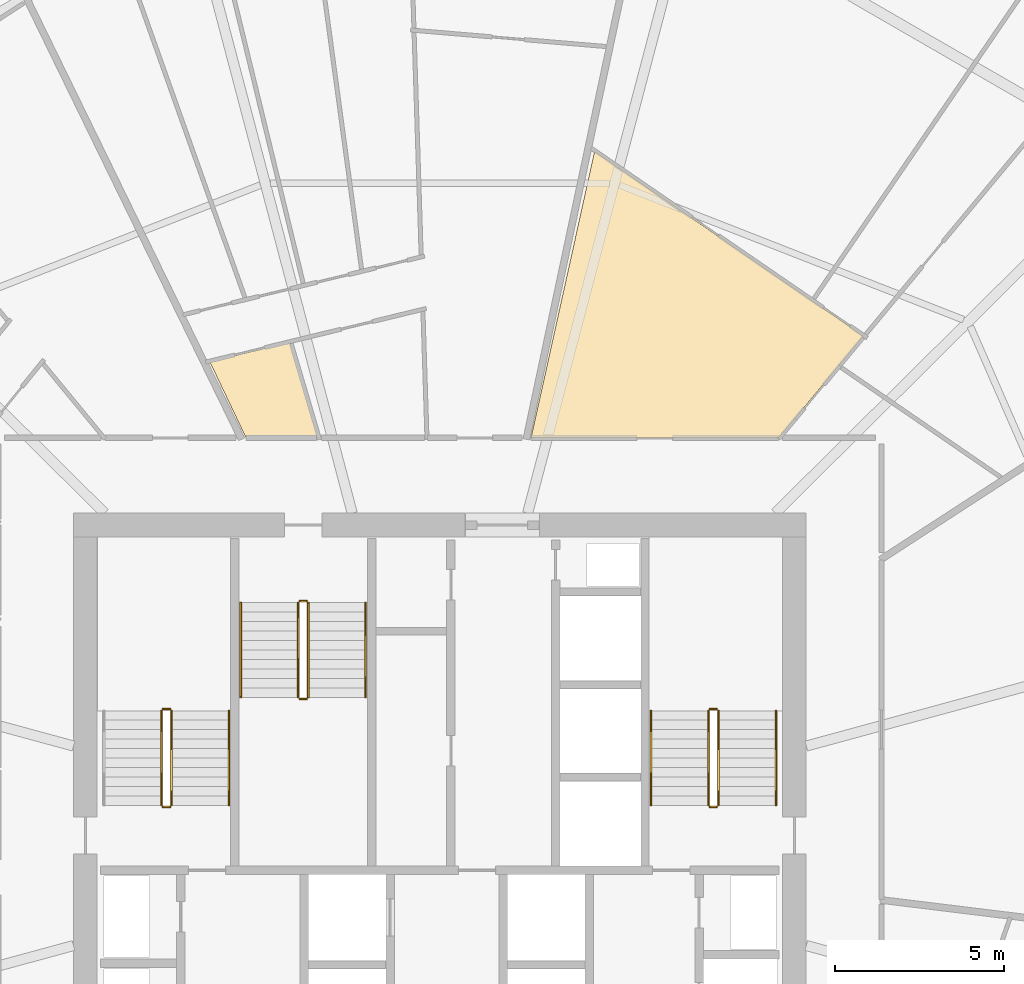
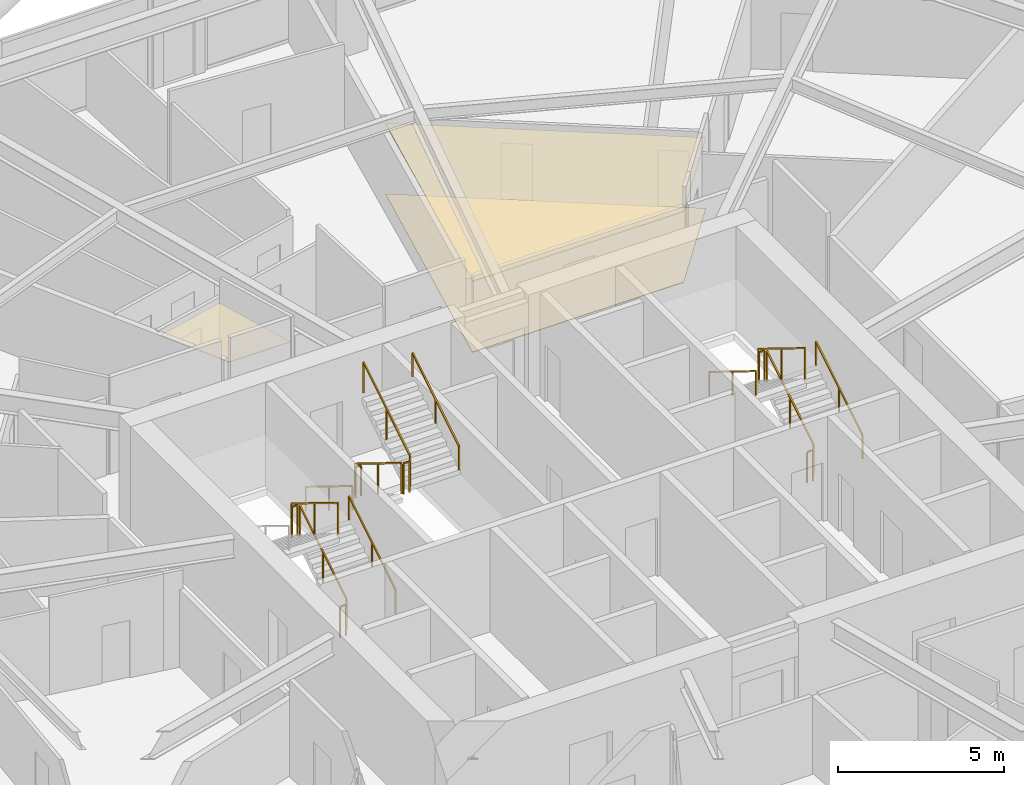
# One storey, part 34 of 35: 17 railings, 3 coverings.
"""IFC4 building model written with IfcOpenShell, lengths in metres."""

import ifcopenshell
import ifcopenshell.guid

model = None  # the IFC model being written
_history = None  # IfcOwnerHistory: only IFC2X3 demands one
_inside = {}  # id of a spatial element -> (the spatial element, [elements in it])
_under = {}  # id of a project, library or spatial element -> (it, [spatial elements below it])
_declared = {}  # id of a project -> (the project, [libraries it declares])
_typed = {}  # id of a type object -> (the type object, [elements of that type])
_made_of = {}  # id of a material, layer set ... -> (it, [elements and type objects made of it])


def new_model(schema):
    """Start an empty IFC model of exactly this schema.

    Asked for "IFC4X3", IfcOpenShell would pick the latest addendum, in which some entities
    have other attributes; the version numbers below select the first issue.
    IFC2X3 requires an IfcOwnerHistory on every rooted entity: one is made here for all.
    """
    global model, _history
    if schema == "IFC4X3":
        model = ifcopenshell.file(schema_version=(4, 3, 0, 0))
    else:
        model = ifcopenshell.file(schema=schema)
    _inside.clear()
    _under.clear()
    _declared.clear()
    _typed.clear()
    _made_of.clear()
    _history = None
    if model.schema == "IFC2X3":
        org = make("IfcOrganization", Name="unknown")
        user = make(
            "IfcPersonAndOrganization",
            ThePerson=make("IfcPerson", FamilyName="unknown"),
            TheOrganization=org,
        )
        app = make(
            "IfcApplication",
            ApplicationDeveloper=org,
            Version="unknown",
            ApplicationFullName="unknown",
            ApplicationIdentifier="unknown",
        )
        _history = make(
            "IfcOwnerHistory",
            OwningUser=user,
            OwningApplication=app,
            ChangeAction="ADDED",
            CreationDate=0,
        )
    return model


def make(cls, **values):
    """One entity of the class cls with the attributes given. An attribute that is None is left unset."""
    return model.create_entity(
        cls, **{name: value for name, value in values.items() if value is not None}
    )


def rooted(cls, **values):
    """An entity with a GlobalId (a new one), such as an element, a storey or a relation."""
    return make(cls, GlobalId=ifcopenshell.guid.new(), OwnerHistory=_history, **values)


def si_unit(unit_type, name, prefix=None):
    """IfcSIUnit, for example si_unit("LENGTHUNIT", "METRE", prefix="MILLI")."""
    return make("IfcSIUnit", UnitType=unit_type, Prefix=prefix, Name=name)


def assignment(units):
    """IfcUnitAssignment: the units of a project."""
    return None if units is None else make("IfcUnitAssignment", Units=units)


def point(xyz):
    """IfcCartesianPoint."""
    return None if xyz is None else make("IfcCartesianPoint", Coordinates=xyz)


def direction(xyz):
    """IfcDirection."""
    return None if xyz is None else make("IfcDirection", DirectionRatios=xyz)


def frame(location, z_axis=None, x_axis=None):
    """IfcAxis2Placement3D, a coordinate frame: its origin and axes. An axis left out is left unset."""
    return make(
        "IfcAxis2Placement3D",
        Location=point(location),
        Axis=direction(z_axis),
        RefDirection=direction(x_axis),
    )


def frame_2d(location, x_axis=None):
    """IfcAxis2Placement2D, a coordinate frame in the plane: its origin and x axis."""
    return make(
        "IfcAxis2Placement2D", Location=point(location), RefDirection=direction(x_axis)
    )


def origin():
    """The frame at (0, 0, 0) with its axes left unset."""
    return frame((0.0, 0.0, 0.0))


def origin_2d():
    """The frame at (0, 0) in the plane with its x axis left unset."""
    return frame_2d((0.0, 0.0))


def place(relative_to, where):
    """IfcLocalPlacement: puts the frame where relative to a parent placement (None: the world)."""
    return make(
        "IfcLocalPlacement", PlacementRelTo=relative_to, RelativePlacement=where
    )


def context(
    kind, dimensions, precision=None, world=None, true_north=None, identifier=None
):
    """IfcGeometricRepresentationContext, for example the 3D "Model" context."""
    return make(
        "IfcGeometricRepresentationContext",
        ContextIdentifier=identifier,
        ContextType=kind,
        CoordinateSpaceDimension=dimensions,
        Precision=precision,
        WorldCoordinateSystem=world,
        TrueNorth=true_north,
    )


def subcontext(parent, identifier, kind, view, scale=None):
    """IfcGeometricRepresentationSubContext, for example "Body" below "Model"."""
    return make(
        "IfcGeometricRepresentationSubContext",
        ContextIdentifier=identifier,
        ContextType=kind,
        ParentContext=parent,
        TargetScale=scale,
        TargetView=view,
    )


def project(units=None, contexts=None):
    """IfcProject with its units and contexts."""
    return rooted(
        "IfcProject",
        Name="project",
        RepresentationContexts=contexts,
        UnitsInContext=assignment(units),
    )


def spatial(cls, under=None, at=None, **own):
    """A site, building, storey or space (cls), placed at a placement, below another one or the project."""
    s = rooted(cls, ObjectPlacement=at, **own)
    if under is not None:
        _under.setdefault(under.id(), (under, []))[1].append(s)
    return s


def polyline(points):
    """IfcPolyline through the points."""
    return make("IfcPolyline", Points=[point(p) for p in points])


def profile(cls, at=None, kind="AREA", **sizes):
    """A parametric profile (cls). Its sizes go by their IFC names, for example OverallWidth=200.0."""
    return make(cls, ProfileType=kind, Position=at, **sizes)


def rectangle(**sizes):
    """IfcRectangleProfileDef."""
    return profile("IfcRectangleProfileDef", **sizes)


def outline(outer, holes=None, kind="AREA"):
    """IfcArbitraryClosedProfileDef: a profile drawn as a closed curve; with holes, ...WithVoids."""
    if holes is None:
        return make("IfcArbitraryClosedProfileDef", ProfileType=kind, OuterCurve=outer)
    return make(
        "IfcArbitraryProfileDefWithVoids",
        ProfileType=kind,
        OuterCurve=outer,
        InnerCurves=holes,
    )


def extrude(swept, where, along, depth):
    """IfcExtrudedAreaSolid: the profile swept, set in the frame where, extruded along a direction by depth."""
    return make(
        "IfcExtrudedAreaSolid",
        SweptArea=swept,
        Position=where,
        ExtrudedDirection=direction(along),
        Depth=depth,
    )


def shape(context_of_items, identifier, shape_type, items):
    """IfcShapeRepresentation: the items that make up one representation, for example the "Body"."""
    return make(
        "IfcShapeRepresentation",
        ContextOfItems=context_of_items,
        RepresentationIdentifier=identifier,
        RepresentationType=shape_type,
        Items=items,
    )


def material(Name=None, Category=None):
    """IfcMaterial."""
    return make("IfcMaterial", Name=Name, Category=Category)


def layer(
    of_material, thickness, ventilated=None, Name=None, Category=None, Priority=None
):
    """IfcMaterialLayer: one layer of a wall or slab, of a material (None: an air gap)."""
    return make(
        "IfcMaterialLayer",
        Material=of_material,
        LayerThickness=thickness,
        IsVentilated=ventilated,
        Name=Name,
        Category=Category,
        Priority=Priority,
    )


def layer_set(layers, Name=None):
    """IfcMaterialLayerSet."""
    return make("IfcMaterialLayerSet", MaterialLayers=layers, LayerSetName=Name)


def made_of(thing, what):
    """Note that an element or type object is made of a material, layer set ...; save() writes the relation."""
    if what is not None:
        _made_of.setdefault(what.id(), (what, []))[1].append(thing)
    return thing


def type_object(cls, material=None, **own):
    """A type object (cls), such as IfcWallType, which elements share."""
    return made_of(rooted(cls, **own), material)


def element(
    cls,
    number,
    at=None,
    inside=None,
    cuts=None,
    type_object=None,
    material=None,
    context=None,
    identifier="Body",
    shape_type=None,
    held_by="IfcProductDefinitionShape",
    body=None,
    shapes=None,
    **own,
):
    """One element of the class cls, such as IfcWall. Its Tag is "e" and its number.

    at: its placement. inside: the storey or other place that contains it. cuts: it is an
    opening in that element (IfcRelVoidsElement). A single representation is given by context,
    identifier, shape_type and body (its items); several are given by shapes. held_by: the class
    of the entity that holds the representations. save() writes the other relations.
    """
    e = rooted(cls, Tag="e%d" % number, ObjectPlacement=at, **own)
    if body is not None:
        shapes = [shape(context, identifier, shape_type, body)]
    if shapes is not None:
        e.Representation = make(held_by, Representations=shapes)
    if inside is not None:
        _inside.setdefault(inside.id(), (inside, []))[1].append(e)
    if cuts is not None:
        rooted(
            "IfcRelVoidsElement", RelatingBuildingElement=cuts, RelatedOpeningElement=e
        )
    if type_object is not None:
        _typed.setdefault(type_object.id(), (type_object, []))[1].append(e)
    return made_of(e, material)


def aggregate(whole, parts):
    """IfcRelAggregates: a whole, such as a stair, and the parts it consists of."""
    return rooted("IfcRelAggregates", RelatingObject=whole, RelatedObjects=parts)


def save(model, path):
    """Write the relations noted so far, then the file.

    IfcRelAggregates (storeys below a building ...), IfcRelContainedInSpatialStructure (elements
    in a storey), IfcRelDefinesByType, IfcRelAssociatesMaterial and IfcRelDeclares: one each for
    every whole, place, type object, material and project.
    """
    for whole, parts in _under.values():
        aggregate(whole, parts)
    for where, things in _inside.values():
        rooted(
            "IfcRelContainedInSpatialStructure",
            RelatedElements=things,
            RelatingStructure=where,
        )
    for kind, things in _typed.values():
        rooted("IfcRelDefinesByType", RelatedObjects=things, RelatingType=kind)
    for what, things in _made_of.values():
        rooted("IfcRelAssociatesMaterial", RelatedObjects=things, RelatingMaterial=what)
    for by, libraries in _declared.values():
        rooted("IfcRelDeclares", RelatingContext=by, RelatedDefinitions=libraries)
    model.write(path)


model = new_model("IFC4")

# Units and contexts
model_context = context("Model", 3, precision=1e-05, world=origin(), true_north=direction((0.0, 1.0)))
body_context = subcontext(model_context, "Body", "Model", "MODEL_VIEW")
ifc_project = project(units=[si_unit("LENGTHUNIT", "METRE"), si_unit("AREAUNIT", "SQUARE_METRE"), si_unit("VOLUMEUNIT", "CUBIC_METRE"), si_unit("PLANEANGLEUNIT", "RADIAN"), si_unit("MASSUNIT", "GRAM", prefix="KILO")], contexts=[model_context])

# Site, building, storey
site_placement = place(None, origin())
site = spatial("IfcSite", under=ifc_project, at=site_placement, CompositionType="ELEMENT")
building_placement = place(site_placement, origin())
building = spatial("IfcBuilding", under=site, at=building_placement, Name="Zuhravey Tower", CompositionType="ELEMENT")
storey_placement = place(building_placement, frame((0.0, 0.0, 115.199951171875)))
storey = spatial("IfcBuildingStorey", under=building, at=storey_placement, Name="L28", CompositionType="ELEMENT", Elevation=115.199951171875)

# Coverings
ifc_material_1 = material(Name="Mineral-fibre acoustic ceiling tile")
ifc_layer_1 = layer(ifc_material_1, 0.02490234375)
ifc_layer_set_1 = layer_set([ifc_layer_1], Name="Mineral-fibre acoustic ceiling tile")
covering_type_1 = type_object("IfcCoveringType", Name="Acoustic Suspended Ceiling", PredefinedType="CEILING", material=ifc_layer_set_1)
covering_1_placement = place(storey_placement, frame((0.0, 0.0, 2.590087890625)))
element("IfcCovering", 1, at=covering_1_placement, inside=storey, type_object=covering_type_1, Name="L28 Acoustic Suspended Ceiling CLG1", PredefinedType="CEILING", context=body_context, shape_type="SweptSolid", body=[
    extrude(outline(polyline([(46.031494140625, 44.080078125), (38.698486328125, 44.080078125), (40.580810546875, 52.5703125), (48.543701171875, 47.097412109375), (46.031494140625, 44.080078125)])), origin(), (0.0, 0.0, 1.0), 0.02490234375),
])
ifc_material_2 = material(Name="Porcelain tile finish")
ifc_layer_2 = layer(ifc_material_2, 0.02001953125)
ifc_layer_set_2 = layer_set([ifc_layer_2], Name="Porcelain tile finish")
covering_type_2 = type_object("IfcCoveringType", Name="Apartment Ondol Porcelain Flooring", PredefinedType="FLOORING", material=ifc_layer_set_2)
covering_2_placement = place(storey_placement, origin())
element("IfcCovering", 2, at=covering_2_placement, inside=storey, type_object=covering_type_2, Name="L28 Principal Room Acoustic Flooring", PredefinedType="FLOORING", context=body_context, shape_type="SweptSolid", body=[
    extrude(outline(polyline([(46.031494140625, 44.080078125), (38.698486328125, 44.080078125), (40.580810546875, 52.5703125), (48.543701171875, 47.097412109375), (46.031494140625, 44.080078125)])), origin(), (0.0, 0.0, 1.0), 0.02001953125),
])
ifc_material_3 = material(Name="Moisture-resistant gypsum ceiling board")
ifc_layer_3 = layer(ifc_material_3, 0.02001953125)
ifc_layer_set_3 = layer_set([ifc_layer_3], Name="Moisture-resistant gypsum ceiling board")
covering_type_3 = type_object("IfcCoveringType", Name="Moisture-Resistant Ceiling", PredefinedType="CEILING", material=ifc_layer_set_3)
covering_3_placement = place(storey_placement, frame((0.0, 0.0, 2.590087890625)))
element("IfcCovering", 3, at=covering_3_placement, inside=storey, type_object=covering_type_3, Name="L28 Wet-Room Ceiling CLG2", PredefinedType="CEILING", context=body_context, shape_type="SweptSolid", body=[
    extrude(outline(polyline([(31.561279296875, 46.912841796875), (32.400390625, 44.080078125), (30.26025390625, 44.080078125), (29.1845703125, 46.335205078125), (31.561279296875, 46.912841796875)])), origin(), (0.0, 0.0, 1.0), 0.02001953125),
])

# Railings
ifc_material_4 = material(Name="Brushed stainless steel", Category="steel")
railing_type_1 = type_object("IfcRailingType", Name="Stair Wall Handrail 900", PredefinedType="HANDRAIL", material=ifc_material_4)
for number, where, name in (
    (4, (29.75, 33.199951171875, 0.1728515625), "L28 ST1 stair handrail 1"),
    (5, (45.949951171875, 33.199951171875, 0.1728515625), "L28 ST2 stair handrail 1"),
):
    element("IfcRailing", number, at=place(storey_placement, frame(where)), inside=storey, type_object=railing_type_1, Name=name, PredefinedType="HANDRAIL", context=body_context, shape_type="SweptSolid", body=[
        extrude(rectangle(XDim=0.048095703125, YDim=0.048095703125, at=origin_2d()), frame((0.0, 0.001708984375, 0.876953125), z_axis=(0.0, 0.851089632645, 0.525020415988), x_axis=(-1.0, 0.0, 0.0)), (0.0, 0.0, 1.0), 3.285888671875),
        extrude(rectangle(XDim=0.0419921875, YDim=0.0419921875, at=origin_2d()), origin(), (0.0, 0.0, 1.0), 0.849853515625),
        extrude(rectangle(XDim=0.0419921875, YDim=0.0419921875, at=origin_2d()), frame((0.0, 1.39990234375, 0.86376953125)), (0.0, 0.0, 1.0), 0.849853515625),
        extrude(rectangle(XDim=0.0419921875, YDim=0.0419921875, at=origin_2d()), frame((0.0, 2.800048828125, 1.727294921875)), (0.0, 0.0, 1.0), 0.849853515625),
    ])
for number, where, name in (
    (6, (42.25, 36.0, 2.07275390625), "L28 ST2 stair handrail 2"),
    (7, (30.10009765625, 39.199951171875, 0.1728515625), "L28 ST3 stair handrail 1"),
):
    element("IfcRailing", number, at=place(storey_placement, frame(where)), inside=storey, type_object=railing_type_1, Name=name, PredefinedType="HANDRAIL", context=body_context, shape_type="SweptSolid", body=[
        extrude(rectangle(XDim=0.048095703125, YDim=0.048095703125, at=origin_2d()), frame((0.0, -0.001708984375, 0.876953125), z_axis=(0.0, -0.851089632645, 0.525020415988), x_axis=(1.0, 0.0, 0.0)), (0.0, 0.0, 1.0), 3.285888671875),
        extrude(rectangle(XDim=0.0419921875, YDim=0.0419921875, at=origin_2d()), origin(), (0.0, 0.0, 1.0), 0.849853515625),
        extrude(rectangle(XDim=0.0419921875, YDim=0.0419921875, at=origin_2d()), frame((0.0, -1.39990234375, 0.86376953125)), (0.0, 0.0, 1.0), 0.849853515625),
        extrude(rectangle(XDim=0.0419921875, YDim=0.0419921875, at=origin_2d()), frame((0.0, -2.800048828125, 1.727294921875)), (0.0, 0.0, 1.0), 0.849853515625),
    ])
railing_1_placement = place(storey_placement, frame((33.800048828125, 36.39990234375, 2.07275390625)))
element("IfcRailing", 8, at=railing_1_placement, inside=storey, type_object=railing_type_1, Name="L28 ST3 stair handrail 2", PredefinedType="HANDRAIL", context=body_context, shape_type="SweptSolid", body=[
    extrude(rectangle(XDim=0.048095703125, YDim=0.048095703125, at=origin_2d()), frame((0.0, 0.001708984375, 0.876953125), z_axis=(0.0, 0.851089632645, 0.525020415988), x_axis=(-1.0, 0.0, 0.0)), (0.0, 0.0, 1.0), 3.285888671875),
    extrude(rectangle(XDim=0.0419921875, YDim=0.0419921875, at=origin_2d()), origin(), (0.0, 0.0, 1.0), 0.849853515625),
    extrude(rectangle(XDim=0.0419921875, YDim=0.0419921875, at=origin_2d()), frame((0.0, 1.39990234375, 0.86376953125)), (0.0, 0.0, 1.0), 0.849853515625),
    extrude(rectangle(XDim=0.0419921875, YDim=0.0419921875, at=origin_2d()), frame((0.0, 2.800048828125, 1.727294921875)), (0.0, 0.0, 1.0), 0.849853515625),
])
ifc_material_5 = material(Name="Painted tubular steel", Category="steel")
railing_type_2 = type_object("IfcRailingType", Name="Stair Well Guardrail 1150", PredefinedType="GUARDRAIL", material=ifc_material_5)
railing_2_placement = place(storey_placement, frame((28.050048828125, 33.199951171875, 0.1728515625)))
element("IfcRailing", 9, at=railing_2_placement, inside=storey, type_object=railing_type_2, Name="L28 ST1 stair guard 1", PredefinedType="GUARDRAIL", context=body_context, shape_type="SweptSolid", body=[
    extrude(rectangle(XDim=0.048095703125, YDim=0.048095703125, at=origin_2d()), frame((0.0, 0.001708984375, 1.126953125), z_axis=(0.0, 0.851089632645, 0.525020415988), x_axis=(-1.0, 0.0, 0.0)), (0.0, 0.0, 1.0), 3.285888671875),
    extrude(rectangle(XDim=0.0419921875, YDim=0.0419921875, at=origin_2d()), origin(), (0.0, 0.0, 1.0), 1.099853515625),
    extrude(rectangle(XDim=0.0419921875, YDim=0.0419921875, at=origin_2d()), frame((0.0, 1.39990234375, 0.86376953125)), (0.0, 0.0, 1.0), 1.099853515625),
    extrude(rectangle(XDim=0.0419921875, YDim=0.0419921875, at=origin_2d()), frame((0.0, 2.800048828125, 1.727294921875)), (0.0, 0.0, 1.0), 1.099853515625),
])
railing_3_placement = place(storey_placement, frame((28.0, 36.050048828125, 1.900146484375)))
element("IfcRailing", 10, at=railing_3_placement, inside=storey, type_object=railing_type_2, Name="L28 ST1 stair guard 2", PredefinedType="GUARDRAIL", context=body_context, shape_type="SweptSolid", body=[
    extrude(rectangle(XDim=0.048095703125, YDim=0.048095703125, at=origin_2d()), frame((-0.001953125, 0.0, 1.1259765625), z_axis=(-1.0, 0.0, 0.0), x_axis=(0.0, -1.0, 0.0)), (0.0, 0.0, 1.0), 0.196044921875),
    extrude(rectangle(XDim=0.0419921875, YDim=0.0419921875, at=origin_2d()), origin(), (0.0, 0.0, 1.0), 1.099853515625),
    extrude(rectangle(XDim=0.0419921875, YDim=0.0419921875, at=origin_2d()), frame((-0.199951171875, 0.0, 0.0)), (0.0, 0.0, 1.0), 1.099853515625),
])
railing_4_placement = place(storey_placement, frame((27.75, 36.0, 2.07275390625)))
element("IfcRailing", 11, at=railing_4_placement, inside=storey, type_object=railing_type_2, Name="L28 ST1 stair guard 3", PredefinedType="GUARDRAIL", context=body_context, shape_type="SweptSolid", body=[
    extrude(rectangle(XDim=0.048095703125, YDim=0.048095703125, at=origin_2d()), frame((0.0, -0.001708984375, 1.126953125), z_axis=(0.0, -0.851089632645, 0.525020415988), x_axis=(1.0, 0.0, 0.0)), (0.0, 0.0, 1.0), 3.285888671875),
    extrude(rectangle(XDim=0.0419921875, YDim=0.0419921875, at=origin_2d()), origin(), (0.0, 0.0, 1.0), 1.099853515625),
    extrude(rectangle(XDim=0.0419921875, YDim=0.0419921875, at=origin_2d()), frame((0.0, -1.39990234375, 0.86376953125)), (0.0, 0.0, 1.0), 1.099853515625),
    extrude(rectangle(XDim=0.0419921875, YDim=0.0419921875, at=origin_2d()), frame((0.0, -2.800048828125, 1.727294921875)), (0.0, 0.0, 1.0), 1.099853515625),
])
railing_5_placement = place(storey_placement, frame((28.0, 33.14990234375, 0.0)))
element("IfcRailing", 12, at=railing_5_placement, inside=storey, type_object=railing_type_2, Name="L28 ST1 stair guard 4", PredefinedType="GUARDRAIL", context=body_context, shape_type="SweptSolid", body=[
    extrude(rectangle(XDim=0.048095703125, YDim=0.048095703125, at=origin_2d()), frame((-0.001953125, 0.0, 1.1259765625), z_axis=(-1.0, 0.0, 0.0), x_axis=(0.0, -1.0, 0.0)), (0.0, 0.0, 1.0), 0.196044921875),
    extrude(rectangle(XDim=0.0419921875, YDim=0.0419921875, at=origin_2d()), origin(), (0.0, 0.0, 1.0), 1.099853515625),
    extrude(rectangle(XDim=0.0419921875, YDim=0.0419921875, at=origin_2d()), frame((-0.199951171875, 0.0, 0.0)), (0.0, 0.0, 1.0), 1.099853515625),
])
railing_6_placement = place(storey_placement, frame((44.25, 33.199951171875, 0.1728515625)))
element("IfcRailing", 13, at=railing_6_placement, inside=storey, type_object=railing_type_2, Name="L28 ST2 stair guard 1", PredefinedType="GUARDRAIL", context=body_context, shape_type="SweptSolid", body=[
    extrude(rectangle(XDim=0.048095703125, YDim=0.048095703125, at=origin_2d()), frame((0.0, 0.001708984375, 1.126953125), z_axis=(0.0, 0.851089632645, 0.525020415988), x_axis=(-1.0, 0.0, 0.0)), (0.0, 0.0, 1.0), 3.285888671875),
    extrude(rectangle(XDim=0.0419921875, YDim=0.0419921875, at=origin_2d()), origin(), (0.0, 0.0, 1.0), 1.099853515625),
    extrude(rectangle(XDim=0.0419921875, YDim=0.0419921875, at=origin_2d()), frame((0.0, 1.39990234375, 0.86376953125)), (0.0, 0.0, 1.0), 1.099853515625),
    extrude(rectangle(XDim=0.0419921875, YDim=0.0419921875, at=origin_2d()), frame((0.0, 2.800048828125, 1.727294921875)), (0.0, 0.0, 1.0), 1.099853515625),
])
railing_7_placement = place(storey_placement, frame((44.199951171875, 36.050048828125, 1.900146484375)))
element("IfcRailing", 14, at=railing_7_placement, inside=storey, type_object=railing_type_2, Name="L28 ST2 stair guard 2", PredefinedType="GUARDRAIL", context=body_context, shape_type="SweptSolid", body=[
    extrude(rectangle(XDim=0.048095703125, YDim=0.048095703125, at=origin_2d()), frame((-0.001953125, 0.0, 1.1259765625), z_axis=(-1.0, 0.0, 0.0), x_axis=(0.0, -1.0, 0.0)), (0.0, 0.0, 1.0), 0.196044921875),
    extrude(rectangle(XDim=0.0419921875, YDim=0.0419921875, at=origin_2d()), origin(), (0.0, 0.0, 1.0), 1.099853515625),
    extrude(rectangle(XDim=0.0419921875, YDim=0.0419921875, at=origin_2d()), frame((-0.199951171875, 0.0, 0.0)), (0.0, 0.0, 1.0), 1.099853515625),
])
railing_8_placement = place(storey_placement, frame((43.949951171875, 36.0, 2.07275390625)))
element("IfcRailing", 15, at=railing_8_placement, inside=storey, type_object=railing_type_2, Name="L28 ST2 stair guard 3", PredefinedType="GUARDRAIL", context=body_context, shape_type="SweptSolid", body=[
    extrude(rectangle(XDim=0.048095703125, YDim=0.048095703125, at=origin_2d()), frame((0.0, -0.001708984375, 1.126953125), z_axis=(0.0, -0.851089632645, 0.525020415988), x_axis=(1.0, 0.0, 0.0)), (0.0, 0.0, 1.0), 3.285888671875),
    extrude(rectangle(XDim=0.0419921875, YDim=0.0419921875, at=origin_2d()), origin(), (0.0, 0.0, 1.0), 1.099853515625),
    extrude(rectangle(XDim=0.0419921875, YDim=0.0419921875, at=origin_2d()), frame((0.0, -1.39990234375, 0.86376953125)), (0.0, 0.0, 1.0), 1.099853515625),
    extrude(rectangle(XDim=0.0419921875, YDim=0.0419921875, at=origin_2d()), frame((0.0, -2.800048828125, 1.727294921875)), (0.0, 0.0, 1.0), 1.099853515625),
])
railing_9_placement = place(storey_placement, frame((44.199951171875, 33.14990234375, 0.0)))
element("IfcRailing", 16, at=railing_9_placement, inside=storey, type_object=railing_type_2, Name="L28 ST2 stair guard 4", PredefinedType="GUARDRAIL", context=body_context, shape_type="SweptSolid", body=[
    extrude(rectangle(XDim=0.048095703125, YDim=0.048095703125, at=origin_2d()), frame((-0.001953125, 0.0, 1.1259765625), z_axis=(-1.0, 0.0, 0.0), x_axis=(0.0, -1.0, 0.0)), (0.0, 0.0, 1.0), 0.196044921875),
    extrude(rectangle(XDim=0.0419921875, YDim=0.0419921875, at=origin_2d()), origin(), (0.0, 0.0, 1.0), 1.099853515625),
    extrude(rectangle(XDim=0.0419921875, YDim=0.0419921875, at=origin_2d()), frame((-0.199951171875, 0.0, 0.0)), (0.0, 0.0, 1.0), 1.099853515625),
])
railing_10_placement = place(storey_placement, frame((31.800048828125, 39.199951171875, 0.1728515625)))
element("IfcRailing", 17, at=railing_10_placement, inside=storey, type_object=railing_type_2, Name="L28 ST3 stair guard 1", PredefinedType="GUARDRAIL", context=body_context, shape_type="SweptSolid", body=[
    extrude(rectangle(XDim=0.048095703125, YDim=0.048095703125, at=origin_2d()), frame((0.0, -0.001708984375, 1.126953125), z_axis=(0.0, -0.851089632645, 0.525020415988), x_axis=(1.0, 0.0, 0.0)), (0.0, 0.0, 1.0), 3.285888671875),
    extrude(rectangle(XDim=0.0419921875, YDim=0.0419921875, at=origin_2d()), origin(), (0.0, 0.0, 1.0), 1.099853515625),
    extrude(rectangle(XDim=0.0419921875, YDim=0.0419921875, at=origin_2d()), frame((0.0, -1.39990234375, 0.86376953125)), (0.0, 0.0, 1.0), 1.099853515625),
    extrude(rectangle(XDim=0.0419921875, YDim=0.0419921875, at=origin_2d()), frame((0.0, -2.800048828125, 1.727294921875)), (0.0, 0.0, 1.0), 1.099853515625),
])
railing_11_placement = place(storey_placement, frame((31.85009765625, 36.35009765625, 1.900146484375)))
element("IfcRailing", 18, at=railing_11_placement, inside=storey, type_object=railing_type_2, Name="L28 ST3 stair guard 2", PredefinedType="GUARDRAIL", context=body_context, shape_type="SweptSolid", body=[
    extrude(rectangle(XDim=0.048095703125, YDim=0.048095703125, at=origin_2d()), frame((0.001953125, 0.0, 1.1259765625), z_axis=(1.0, 0.0, 0.0), x_axis=(0.0, 1.0, 0.0)), (0.0, 0.0, 1.0), 0.196044921875),
    extrude(rectangle(XDim=0.0419921875, YDim=0.0419921875, at=origin_2d()), origin(), (0.0, 0.0, 1.0), 1.099853515625),
    extrude(rectangle(XDim=0.0419921875, YDim=0.0419921875, at=origin_2d()), frame((0.199951171875, 0.0, 0.0)), (0.0, 0.0, 1.0), 1.099853515625),
])
railing_12_placement = place(storey_placement, frame((32.10009765625, 36.39990234375, 2.07275390625)))
element("IfcRailing", 19, at=railing_12_placement, inside=storey, type_object=railing_type_2, Name="L28 ST3 stair guard 3", PredefinedType="GUARDRAIL", context=body_context, shape_type="SweptSolid", body=[
    extrude(rectangle(XDim=0.048095703125, YDim=0.048095703125, at=origin_2d()), frame((0.0, 0.001708984375, 1.126953125), z_axis=(0.0, 0.851089632645, 0.525020415988), x_axis=(-1.0, 0.0, 0.0)), (0.0, 0.0, 1.0), 3.285888671875),
    extrude(rectangle(XDim=0.0419921875, YDim=0.0419921875, at=origin_2d()), origin(), (0.0, 0.0, 1.0), 1.099853515625),
    extrude(rectangle(XDim=0.0419921875, YDim=0.0419921875, at=origin_2d()), frame((0.0, 1.39990234375, 0.86376953125)), (0.0, 0.0, 1.0), 1.099853515625),
    extrude(rectangle(XDim=0.0419921875, YDim=0.0419921875, at=origin_2d()), frame((0.0, 2.800048828125, 1.727294921875)), (0.0, 0.0, 1.0), 1.099853515625),
])
railing_13_placement = place(storey_placement, frame((31.85009765625, 39.25, 0.0)))
element("IfcRailing", 20, at=railing_13_placement, inside=storey, type_object=railing_type_2, Name="L28 ST3 stair guard 4", PredefinedType="GUARDRAIL", context=body_context, shape_type="SweptSolid", body=[
    extrude(rectangle(XDim=0.048095703125, YDim=0.048095703125, at=origin_2d()), frame((0.001953125, 0.0, 1.1259765625), z_axis=(1.0, 0.0, 0.0), x_axis=(0.0, 1.0, 0.0)), (0.0, 0.0, 1.0), 0.196044921875),
    extrude(rectangle(XDim=0.0419921875, YDim=0.0419921875, at=origin_2d()), origin(), (0.0, 0.0, 1.0), 1.099853515625),
    extrude(rectangle(XDim=0.0419921875, YDim=0.0419921875, at=origin_2d()), frame((0.199951171875, 0.0, 0.0)), (0.0, 0.0, 1.0), 1.099853515625),
])

save(model, "model.ifc")
